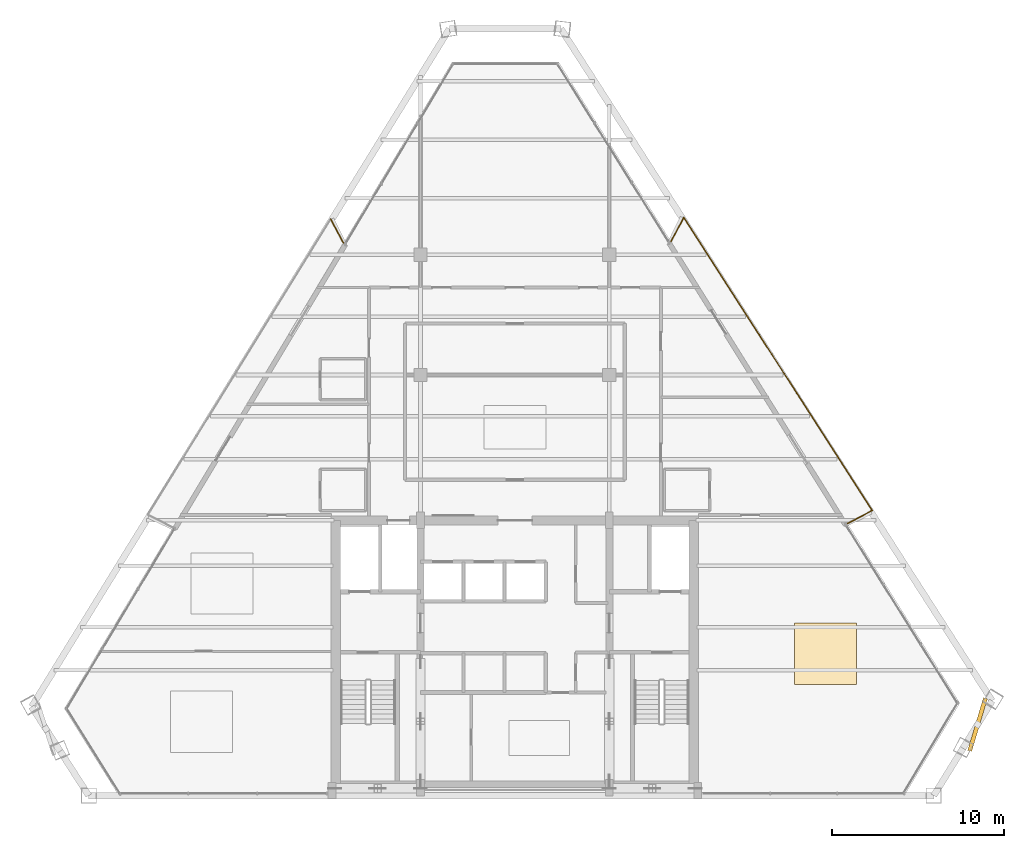
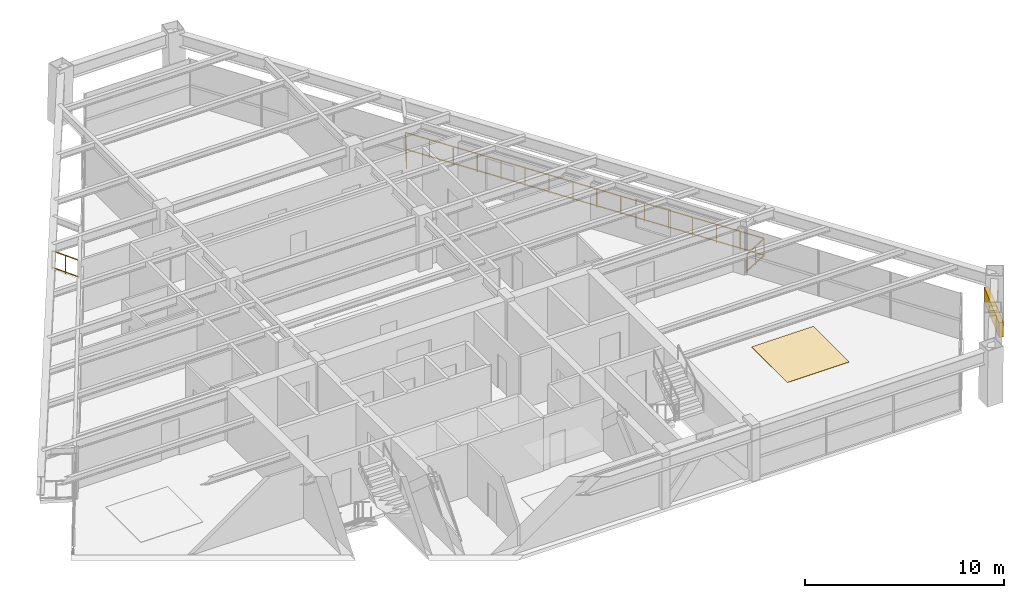
# One storey, part 12 of 12: 4 railings, 1 covering, 1 shading device.
"""IFC4 building model written with IfcOpenShell, lengths in metres."""

from ifc_helpers import new_model, si_unit, direction, frame, origin, origin_2d, place, context, subcontext, project, spatial, rectangle, extrude, source, transform, mapped, material, layer, layer_set, type_object, type_shapes, element, save


model = new_model("IFC4")

# Units and contexts
model_context = context("Model", 3, precision=1e-05, world=origin(), true_north=direction((0.0, 1.0)))
body_context = subcontext(model_context, "Body", "Model", "MODEL_VIEW")
ifc_project = project(units=[si_unit("LENGTHUNIT", "METRE"), si_unit("AREAUNIT", "SQUARE_METRE"), si_unit("VOLUMEUNIT", "CUBIC_METRE"), si_unit("PLANEANGLEUNIT", "RADIAN"), si_unit("MASSUNIT", "GRAM", prefix="KILO")], contexts=[model_context])

# Site, building, storey
site_placement = place(None, origin())
site = spatial("IfcSite", under=ifc_project, at=site_placement, CompositionType="ELEMENT")
building_placement = place(site_placement, origin())
building = spatial("IfcBuilding", under=site, at=building_placement, Name="Varnakhor Terracotta Tower", CompositionType="ELEMENT")
storey_placement = place(building_placement, frame((0.0, 0.0, 220.0)))
storey = spatial("IfcBuildingStorey", under=building, at=storey_placement, Name="L56", CompositionType="ELEMENT", Elevation=220.0)

# Railings
ifc_material_1 = material(Name="Stainless Steel & Laminated Glass Guardrail", Category="steel")
railing_type = type_object("IfcRailingType", Name="RLG-LOGGIA-GUARD-1150", PredefinedType="GUARDRAIL", material=ifc_material_1)
railing_1_placement = place(storey_placement, frame((9.093505859375, 32.278076171875, 0.0)))
element("IfcRailing", 1, at=railing_1_placement, inside=storey, type_object=railing_type, Name="L56 E Loggia Glass Guard 1", PredefinedType="GUARDRAIL", context=body_context, shape_type="SweptSolid", body=[
    extrude(rectangle(XDim=0.048095703125, YDim=0.048095703125, at=origin_2d()), frame((0.0, 0.0, 1.1259765625), z_axis=(0.469267900384, 0.883055851954, 0.0), x_axis=(-0.883055851954, 0.469267900384, 0.0)), (0.0, 0.0, 1.0), 1.584228515625),
    extrude(rectangle(XDim=0.048095703125, YDim=0.048095703125, at=origin_2d()), frame((0.0, 0.0, 0.10009765625), z_axis=(0.469267900384, 0.883055851954, 0.0), x_axis=(-0.883055851954, 0.469267900384, 0.0)), (0.0, 0.0, 1.0), 1.584228515625),
    extrude(rectangle(XDim=0.0419921875, YDim=0.0419921875, at=origin_2d()), origin(), (0.0, 0.0, 1.0), 1.101806640625),
    extrude(rectangle(XDim=0.0419921875, YDim=0.0419921875, at=origin_2d()), frame((0.37158203125, 0.699462890625, 0.0)), (0.0, 0.0, 1.0), 1.101806640625),
    extrude(rectangle(XDim=0.0419921875, YDim=0.0419921875, at=origin_2d()), frame((0.743408203125, 1.39892578125, 0.0)), (0.0, 0.0, 1.0), 1.101806640625),
])
railing_2_placement = place(storey_placement, frame((9.8369140625, 33.677001953125, 0.0)))
element("IfcRailing", 2, at=railing_2_placement, inside=storey, type_object=railing_type, Name="L56 E Loggia Glass Guard 2", PredefinedType="GUARDRAIL", context=body_context, shape_type="SweptSolid", body=[
    extrude(rectangle(XDim=0.048095703125, YDim=0.048095703125, at=origin_2d()), frame((0.0, 0.0, 1.1259765625), z_axis=(0.540821441304, -0.841137425529, 0.0), x_axis=(0.841137425529, 0.540821441304, 0.0)), (0.0, 0.0, 1.0), 20.291015625),
    extrude(rectangle(XDim=0.048095703125, YDim=0.048095703125, at=origin_2d()), frame((0.0, 0.0, 0.10009765625), z_axis=(0.540821441304, -0.841137425529, 0.0), x_axis=(0.841137425529, 0.540821441304, 0.0)), (0.0, 0.0, 1.0), 20.291015625),
    extrude(rectangle(XDim=0.0419921875, YDim=0.0419921875, at=origin_2d()), origin(), (0.0, 0.0, 1.0), 1.101806640625),
    extrude(rectangle(XDim=0.0419921875, YDim=0.0419921875, at=origin_2d()), frame((0.731689453125, -1.137939453125, 0.0)), (0.0, 0.0, 1.0), 1.101806640625),
    extrude(rectangle(XDim=0.0419921875, YDim=0.0419921875, at=origin_2d()), frame((1.463134765625, -2.275634765625, 0.0)), (0.0, 0.0, 1.0), 1.101806640625),
    extrude(rectangle(XDim=0.0419921875, YDim=0.0419921875, at=origin_2d()), frame((2.19482421875, -3.41357421875, 0.0)), (0.0, 0.0, 1.0), 1.101806640625),
    extrude(rectangle(XDim=0.0419921875, YDim=0.0419921875, at=origin_2d()), frame((2.92626953125, -4.55126953125, 0.0)), (0.0, 0.0, 1.0), 1.101806640625),
    extrude(rectangle(XDim=0.0419921875, YDim=0.0419921875, at=origin_2d()), frame((3.657958984375, -5.689208984375, 0.0)), (0.0, 0.0, 1.0), 1.101806640625),
    extrude(rectangle(XDim=0.0419921875, YDim=0.0419921875, at=origin_2d()), frame((4.3896484375, -6.8271484375, 0.0)), (0.0, 0.0, 1.0), 1.101806640625),
    extrude(rectangle(XDim=0.0419921875, YDim=0.0419921875, at=origin_2d()), frame((5.12109375, -7.96484375, 0.0)), (0.0, 0.0, 1.0), 1.101806640625),
    extrude(rectangle(XDim=0.0419921875, YDim=0.0419921875, at=origin_2d()), frame((5.852783203125, -9.102783203125, 0.0)), (0.0, 0.0, 1.0), 1.101806640625),
    extrude(rectangle(XDim=0.0419921875, YDim=0.0419921875, at=origin_2d()), frame((6.584228515625, -10.240478515625, 0.0)), (0.0, 0.0, 1.0), 1.101806640625),
    extrude(rectangle(XDim=0.0419921875, YDim=0.0419921875, at=origin_2d()), frame((7.31591796875, -11.37841796875, 0.0)), (0.0, 0.0, 1.0), 1.101806640625),
    extrude(rectangle(XDim=0.0419921875, YDim=0.0419921875, at=origin_2d()), frame((8.047607421875, -12.516357421875, 0.0)), (0.0, 0.0, 1.0), 1.101806640625),
    extrude(rectangle(XDim=0.0419921875, YDim=0.0419921875, at=origin_2d()), frame((8.779052734375, -13.654052734375, 0.0)), (0.0, 0.0, 1.0), 1.101806640625),
    extrude(rectangle(XDim=0.0419921875, YDim=0.0419921875, at=origin_2d()), frame((9.5107421875, -14.7919921875, 0.0)), (0.0, 0.0, 1.0), 1.101806640625),
    extrude(rectangle(XDim=0.0419921875, YDim=0.0419921875, at=origin_2d()), frame((10.2421875, -15.9296875, 0.0)), (0.0, 0.0, 1.0), 1.101806640625),
    extrude(rectangle(XDim=0.0419921875, YDim=0.0419921875, at=origin_2d()), frame((10.973876953125, -17.067626953125, 0.0)), (0.0, 0.0, 1.0), 1.101806640625),
])
railing_3_placement = place(storey_placement, frame((20.810791015625, 16.609375, 0.0)))
element("IfcRailing", 3, at=railing_3_placement, inside=storey, type_object=railing_type, Name="L56 E Loggia Glass Guard 3", PredefinedType="GUARDRAIL", context=body_context, shape_type="SweptSolid", body=[
    extrude(rectangle(XDim=0.048095703125, YDim=0.048095703125, at=origin_2d()), frame((0.0, 0.0, 1.1259765625), z_axis=(-0.883432866675, -0.468557755329, 0.0), x_axis=(0.468557755329, -0.883432866675, 0.0)), (0.0, 0.0, 1.0), 1.62353515625),
    extrude(rectangle(XDim=0.048095703125, YDim=0.048095703125, at=origin_2d()), frame((0.0, 0.0, 0.10009765625), z_axis=(-0.883432866675, -0.468557755329, 0.0), x_axis=(0.468557755329, -0.883432866675, 0.0)), (0.0, 0.0, 1.0), 1.62353515625),
    extrude(rectangle(XDim=0.0419921875, YDim=0.0419921875, at=origin_2d()), origin(), (0.0, 0.0, 1.0), 1.101806640625),
    extrude(rectangle(XDim=0.0419921875, YDim=0.0419921875, at=origin_2d()), frame((-0.71728515625, -0.38037109375, 0.0)), (0.0, 0.0, 1.0), 1.101806640625),
    extrude(rectangle(XDim=0.0419921875, YDim=0.0419921875, at=origin_2d()), frame((-1.434326171875, -0.7607421875, 0.0)), (0.0, 0.0, 1.0), 1.101806640625),
])
railing_4_placement = place(storey_placement, frame((-10.736572265625, 33.582763671875, 0.0)))
element("IfcRailing", 4, at=railing_4_placement, inside=storey, type_object=railing_type, Name="L56 W Loggia Glass Guard 3", PredefinedType="GUARDRAIL", context=body_context, shape_type="SweptSolid", body=[
    extrude(rectangle(XDim=0.048095703125, YDim=0.048095703125, at=origin_2d()), frame((0.0, 0.0, 1.1259765625), z_axis=(0.47198154354, -0.881608429268, 0.0), x_axis=(0.881608429268, 0.47198154354, 0.0)), (0.0, 0.0, 1.0), 1.581787109375),
    extrude(rectangle(XDim=0.048095703125, YDim=0.048095703125, at=origin_2d()), frame((0.0, 0.0, 0.10009765625), z_axis=(0.47198154354, -0.881608429268, 0.0), x_axis=(0.881608429268, 0.47198154354, 0.0)), (0.0, 0.0, 1.0), 1.581787109375),
    extrude(rectangle(XDim=0.0419921875, YDim=0.0419921875, at=origin_2d()), origin(), (0.0, 0.0, 1.0), 1.101806640625),
    extrude(rectangle(XDim=0.0419921875, YDim=0.0419921875, at=origin_2d()), frame((0.373291015625, -0.697265625, 0.0)), (0.0, 0.0, 1.0), 1.101806640625),
    extrude(rectangle(XDim=0.0419921875, YDim=0.0419921875, at=origin_2d()), frame((0.74658203125, -1.39453125, 0.0)), (0.0, 0.0, 1.0), 1.101806640625),
])

# Shading device
ifc_material_2 = material(Name="Extruded Architectural Terracotta Screen", Category="masonry")
shading_device_type = type_object("IfcShadingDeviceType", Name="TERRACOTTA SOLAR SCREEN E", PredefinedType="USERDEFINED", material=ifc_material_2)
shared_shape_1 = source(origin(), body_context, "Body", "SweptSolid", [
    extrude(rectangle(XDim=3.199951171875, YDim=0.239990234375, at=origin_2d()), origin(), (0.0, 0.0, 1.0), 0.919921875),
])
type_shapes(shading_device_type, [shared_shape_1])
shading_device_placement = place(storey_placement, frame((26.95068359375, 4.140380859375, 1.56201171875), z_axis=(0.0, 0.0, 1.0), x_axis=(0.286407499904, 0.95810789789, 0.0)))
element("IfcShadingDevice", 5, at=shading_device_placement, inside=storey, type_object=shading_device_type, Name="L56 E Terracotta Solar Screen", ObjectType="SCREEN", PredefinedType="USERDEFINED", context=body_context, shape_type="MappedRepresentation", body=[
    mapped(shared_shape_1, transform((0.0, 0.0, 0.0), scale=1.0)),
])

# Covering
ifc_material_3 = material(Name="Honed Riyadh Limestone Flooring", Category="masonry")
ifc_layer = layer(ifc_material_3, 0.030029296875, Name="Honed Riyadh Limestone Flooring")
ifc_layer_set = layer_set([ifc_layer], Name="Honed Riyadh Limestone Flooring")
covering_type = type_object("IfcCoveringType", Name="COV-FLOOR-LIMESTONE", PredefinedType="FLOORING", material=ifc_layer_set)
shared_shape_2 = source(origin(), body_context, "Body", "SweptSolid", [
    extrude(rectangle(XDim=3.60009765625, YDim=3.60009765625, at=origin_2d()), origin(), (0.0, 0.0, 1.0), 0.02001953125),
])
covering_placement = place(storey_placement, frame((18.10009765625, 8.26611328125, 0.0), z_axis=(0.0, 0.0, 1.0), x_axis=(1.0, 0.0, 0.0)))
element("IfcCovering", 6, at=covering_placement, inside=storey, type_object=covering_type, Name="L56 Honed Stone Flooring 3", PredefinedType="FLOORING", context=body_context, shape_type="MappedRepresentation", body=[
    mapped(shared_shape_2, transform((0.0, 0.0, 0.0), scale=1.0)),
])

save(model, "model.ifc")
